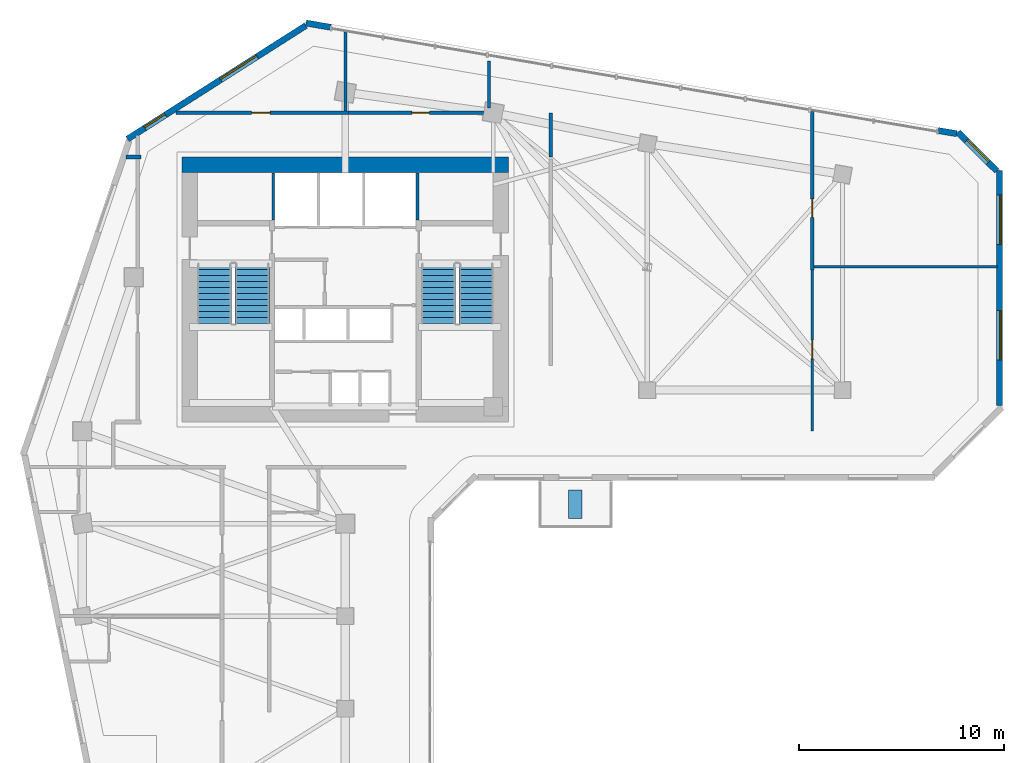
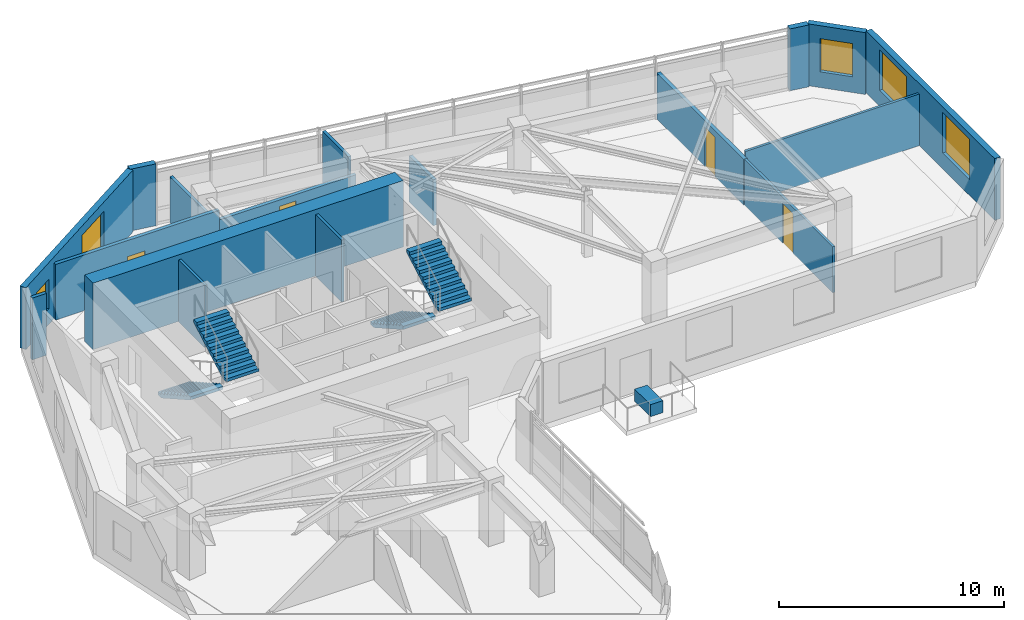
# One storey, part 7 of 10: 17 walls, 5 windows, 4 doors, 4 stair flights, 1 discrete accessory, 9 openings, 2 elements without a shape of their own.
"""IFC4 building model written with IfcOpenShell, lengths in metres."""

from ifc_helpers import new_model, si_unit, direction, frame, frame_2d, origin, origin_2d, place, context, subcontext, project, spatial, polyline, rectangle, outline, extrude, source, transform, mapped, material, layer, layer_set, type_object, element, fill, aggregate, save


model = new_model("IFC4")

# Units and contexts
model_context = context("Model", 3, precision=1e-05, world=origin(), true_north=direction((0.0, 1.0)))
body_context = subcontext(model_context, "Body", "Model", "MODEL_VIEW")
ifc_project = project(units=[si_unit("LENGTHUNIT", "METRE"), si_unit("AREAUNIT", "SQUARE_METRE"), si_unit("VOLUMEUNIT", "CUBIC_METRE"), si_unit("PLANEANGLEUNIT", "RADIAN"), si_unit("MASSUNIT", "GRAM", prefix="KILO")], contexts=[model_context])

# Site, building, storey
site_placement = place(None, origin())
site = spatial("IfcSite", under=ifc_project, at=site_placement, CompositionType="ELEMENT")
building_placement = place(site_placement, origin())
building = spatial("IfcBuilding", under=site, at=building_placement, Name="Calvemar Wedge Station Tower", CompositionType="ELEMENT")
storey_placement = place(building_placement, frame((0.0, 0.0, 139.39990234375)))
storey = spatial("IfcBuildingStorey", under=building, at=storey_placement, Name="L34", CompositionType="ELEMENT", Elevation=139.39990234375)

# Walls
ifc_material_1 = material(Name="Concrete C70", Category="concrete")
ifc_layer_1 = layer(ifc_material_1, 0.75)
ifc_layer_set_1 = layer_set([ifc_layer_1], Name="Concrete C70")
wall_type_1 = type_object("IfcWallType", Name="SW-CORE-750", PredefinedType="SHEAR", material=ifc_layer_set_1)
wall_1_placement = place(storey_placement, frame((15.85009765625, 45.97509765625, 0.0), z_axis=(0.0, 0.0, 1.0), x_axis=(1.0, 0.0, 0.0)))
element("IfcWall", 1, at=wall_1_placement, inside=storey, type_object=wall_type_1, Name="Storey L34 Core Shear Wall N", PredefinedType="SHEAR", context=body_context, shape_type="SweptSolid", body=[
    extrude(rectangle(XDim=15.89990234375, YDim=0.75, at=frame_2d((7.949951171875, 0.0))), origin(), (0.0, 0.0, 1.0), 3.60009765625),
])
ifc_material_2 = material(Name="Double-stud fire-rated corridor partition")
ifc_layer_2 = layer(ifc_material_2, 0.179931640625)
ifc_layer_set_2 = layer_set([ifc_layer_2], Name="Double-stud fire-rated corridor partition")
wall_type_2 = type_object("IfcWallType", Name="W-CORR-180", PredefinedType="PARTITIONING", material=ifc_layer_set_2)
wall_2_placement = place(storey_placement, frame((13.860107421875, 46.35009765625, 0.0), z_axis=(0.0, 0.0, 1.0), x_axis=(-1.0, 0.0, 0.0)))
element("IfcWall", 2, at=wall_2_placement, inside=storey, type_object=wall_type_2, Name="Storey L34 Interior Partition WL-L34-011", PredefinedType="PARTITIONING", context=body_context, shape_type="SweptSolid", body=[
    extrude(rectangle(XDim=0.73486328125, YDim=0.179931640625, at=frame_2d((0.367431640625, 0.0))), origin(), (0.0, 0.0, 1.0), 3.35009765625),
])

# Wall, opening, door
wall_3_placement = place(storey_placement, frame((15.552490234375, 48.5, 0.0), z_axis=(0.0, 0.0, 1.0), x_axis=(1.0, 0.0, 0.0)))
wall_3 = element("IfcWall", 3, at=wall_3_placement, inside=storey, type_object=wall_type_2, Name="Storey L34 Interior Partition WL-L34-012", PredefinedType="PARTITIONING", context=body_context, shape_type="SweptSolid", body=[
    extrude(rectangle(XDim=8.407470703125, YDim=0.179931640625, at=frame_2d((4.20361328125, 0.0))), origin(), (0.0, 0.0, 1.0), 3.01904296875),
])
shared_shape_1 = source(origin(), body_context, "Body", "SweptSolid", [
    extrude(rectangle(XDim=0.89990234375, YDim=2.14990234375, at=frame_2d((0.449951171875, 1.074951171875))), frame((0.0, 0.10009765625, 0.0), z_axis=(0.0, -1.0, 0.0), x_axis=(1.0, 0.0, 0.0)), (0.0, 0.0, 1.0), 0.199951171875),
])
opening_1_placement = place(wall_3_placement, frame((3.69287109375, 0.0, 0.0)))
opening_1 = element("IfcOpeningElement", 4, at=opening_1_placement, cuts=wall_3, Name="Opening D-01", PredefinedType="OPENING", context=body_context, shape_type="MappedRepresentation", body=[
    mapped(shared_shape_1, transform((0.0, 0.0, 0.0), scale=1.0)),
])
ifc_material_3 = material(Name="Architectural hardwood acoustic swing door", Category="wood")
door_type_1 = type_object("IfcDoorType", Name="DR-INT-900", OperationType="NOTDEFINED", PredefinedType="DOOR", material=ifc_material_3)
shared_shape_2 = source(origin(), body_context, "Body", "SweptSolid", [
    extrude(rectangle(XDim=0.89990234375, YDim=2.14990234375, at=frame_2d((0.449951171875, 1.074951171875))), frame((0.0, 0.02490234375, 0.0), z_axis=(0.0, -1.0, 0.0), x_axis=(1.0, 0.0, 0.0)), (0.0, 0.0, 1.0), 0.050048828125),
])
door_1_placement = place(opening_1_placement, origin())
door_1 = element("IfcDoor", 5, at=door_1_placement, inside=storey, type_object=door_type_1, Name="L34 Guest Pantry Door", OperationType="SINGLE_SWING_RIGHT", OverallHeight=2.14990234375, OverallWidth=0.89990234375, PredefinedType="DOOR", context=body_context, shape_type="MappedRepresentation", body=[
    mapped(shared_shape_2, transform((0.0, 0.0, 0.0), scale=1.0)),
])
fill(opening_1, door_1)

wall_4_placement = place(storey_placement, frame((23.9619140625, 48.5, 0.0), z_axis=(0.0, 0.0, 1.0), x_axis=(1.0, 0.0, 0.0)))
wall_4 = element("IfcWall", 6, at=wall_4_placement, inside=storey, type_object=wall_type_2, Name="Storey L34 Interior Partition WL-L34-013", PredefinedType="PARTITIONING", context=body_context, shape_type="SweptSolid", body=[
    extrude(rectangle(XDim=6.998046875, YDim=0.179931640625, at=frame_2d((3.4990234375, 0.0))), origin(), (0.0, 0.0, 1.0), 2.4921875),
])
shared_shape_3 = source(origin(), body_context, "Body", "SweptSolid", [
    extrude(rectangle(XDim=0.85009765625, YDim=2.14990234375, at=frame_2d((0.425048828125, 1.074951171875))), frame((0.0, 0.10009765625, 0.0), z_axis=(0.0, -1.0, 0.0), x_axis=(1.0, 0.0, 0.0)), (0.0, 0.0, 1.0), 0.199951171875),
])
opening_2_placement = place(wall_4_placement, frame((3.073974609375, 0.0, 0.0)))
opening_2 = element("IfcOpeningElement", 7, at=opening_2_placement, cuts=wall_4, Name="Opening D-02", PredefinedType="OPENING", context=body_context, shape_type="MappedRepresentation", body=[
    mapped(shared_shape_3, transform((0.0, 0.0, 0.0), scale=1.0)),
])
ifc_material_4 = material(Name="Moisture-sealed bathroom hardwood swing door", Category="wood")
door_type_2 = type_object("IfcDoorType", Name="DR-WET-850", OperationType="NOTDEFINED", PredefinedType="DOOR", material=ifc_material_4)
shared_shape_4 = source(origin(), body_context, "Body", "SweptSolid", [
    extrude(rectangle(XDim=0.85009765625, YDim=2.14990234375, at=frame_2d((0.425048828125, 1.074951171875))), frame((0.0, 0.02490234375, 0.0), z_axis=(0.0, -1.0, 0.0), x_axis=(1.0, 0.0, 0.0)), (0.0, 0.0, 1.0), 0.050048828125),
])
door_2_placement = place(opening_2_placement, origin())
door_2 = element("IfcDoor", 8, at=door_2_placement, inside=storey, type_object=door_type_2, Name="L34 Accessible WC Door", OperationType="SINGLE_SWING_LEFT", OverallHeight=2.14990234375, OverallWidth=0.85009765625, PredefinedType="DOOR", context=body_context, shape_type="MappedRepresentation", body=[
    mapped(shared_shape_4, transform((0.0, 0.0, 0.0), scale=1.0)),
])
fill(opening_2, door_2)

# Wall
wall_5_placement = place(storey_placement, frame((33.800048828125, 48.5, 0.0), z_axis=(0.0, 0.0, 1.0), x_axis=(0.0, -1.0, 0.0)))
element("IfcWall", 9, at=wall_5_placement, inside=storey, type_object=wall_type_2, Name="Storey L34 Interior Partition WL-L34-014", PredefinedType="PARTITIONING", context=body_context, shape_type="SweptSolid", body=[
    extrude(rectangle(XDim=2.14990234375, YDim=0.179931640625, at=frame_2d((1.074951171875, 0.0))), origin(), (0.0, 0.0, 1.0), 2.4921875),
])

# Wall, opening, door
wall_6_placement = place(storey_placement, frame((46.534912109375, 48.55859375, 0.0), z_axis=(0.0, 0.0, 1.0), x_axis=(0.0, -1.0, 0.0)))
wall_6 = element("IfcWall", 10, at=wall_6_placement, inside=storey, type_object=wall_type_2, Name="Storey L34 Interior Partition WL-L34-019", PredefinedType="PARTITIONING", context=body_context, shape_type="SweptSolid", body=[
    extrude(rectangle(XDim=7.718505859375, YDim=0.179931640625, at=frame_2d((3.859375, 0.0))), origin(), (0.0, 0.0, 1.0), 2.4921875),
])
opening_3_placement = place(wall_6_placement, frame((4.251953125, 0.0, 0.0)))
opening_3 = element("IfcOpeningElement", 11, at=opening_3_placement, cuts=wall_6, Name="Opening FD-60", PredefinedType="OPENING", context=body_context, shape_type="MappedRepresentation", body=[
    mapped(shared_shape_1, transform((0.0, 0.0, 0.0), scale=1.0)),
])
ifc_material_5 = material(Name="Fire-rated acoustic timber-core entrance door EI 60", Category="wood")
door_type_3 = type_object("IfcDoorType", Name="DR-FD60-900", OperationType="NOTDEFINED", PredefinedType="DOOR", material=ifc_material_5)
shared_shape_5 = source(origin(), body_context, "Body", "SweptSolid", [
    extrude(rectangle(XDim=0.89990234375, YDim=2.14990234375, at=frame_2d((0.449951171875, 1.074951171875))), frame((0.0, 0.02490234375, 0.0), z_axis=(0.0, -1.0, 0.0), x_axis=(1.0, 0.0, 0.0)), (0.0, 0.0, 1.0), 0.050048828125),
])
door_3_placement = place(opening_3_placement, origin())
door_3 = element("IfcDoor", 12, at=door_3_placement, inside=storey, type_object=door_type_3, Name="L34 Banquet Service Kitchen Door", OperationType="SINGLE_SWING_LEFT", OverallHeight=2.14990234375, OverallWidth=0.89990234375, PredefinedType="DOOR", context=body_context, shape_type="MappedRepresentation", body=[
    mapped(shared_shape_5, transform((0.0, 0.0, 0.0), scale=1.0)),
])
fill(opening_3, door_3)

# Wall, openings, windows
ifc_material_6 = material(Name="Precast concrete C45", Category="concrete")
ifc_layer_3 = layer(ifc_material_6, 0.300048828125)
ifc_layer_set_3 = layer_set([ifc_layer_3], Name="Precast concrete C45")
wall_type_3 = type_object("IfcWallType", Name="W-EXT-GFRC-300", PredefinedType="SOLIDWALL", material=ifc_layer_set_3)
wall_7_placement = place(storey_placement, frame((55.64990234375, 34.249267578125, 0.0), z_axis=(0.0, 0.0, 1.0), x_axis=(0.0, 1.0, 0.0)))
wall_7 = element("IfcWall", 13, at=wall_7_placement, inside=storey, type_object=wall_type_3, Name="Storey L34 Bronze GFRC Exterior Wall 8", PredefinedType="SOLIDWALL", context=body_context, shape_type="SweptSolid", body=[
    extrude(rectangle(XDim=11.4306640625, YDim=0.300048828125, at=frame_2d((5.71533203125, 0.0))), origin(), (0.0, 0.0, 1.0), 3.35009765625),
])
shared_shape_6 = source(origin(), body_context, "Body", "SweptSolid", [
    extrude(rectangle(XDim=2.39990234375, YDim=2.199951171875, at=frame_2d((1.199951171875, 1.10009765625))), frame((0.0, 0.16015625, 0.0), z_axis=(0.0, -1.0, 0.0), x_axis=(1.0, 0.0, 0.0)), (0.0, 0.0, 1.0), 0.320068359375),
])
opening_4_placement = place(wall_7_placement, frame((2.22509765625, 0.0, 0.85009765625)))
opening_4 = element("IfcOpeningElement", 14, at=opening_4_placement, cuts=wall_7, Name="Opening W1", PredefinedType="OPENING", context=body_context, shape_type="MappedRepresentation", body=[
    mapped(shared_shape_6, transform((0.0, 0.0, 0.0), scale=1.0)),
])
opening_5_placement = place(wall_7_placement, frame((7.841064453125, 0.0, 0.85009765625)))
opening_5 = element("IfcOpeningElement", 15, at=opening_5_placement, cuts=wall_7, Name="Opening W1", PredefinedType="OPENING", context=body_context, shape_type="MappedRepresentation", body=[
    mapped(shared_shape_6, transform((0.0, 0.0, 0.0), scale=1.0)),
])
ifc_material_7 = material(Name="Low-E laminated insulated glass", Category="glass")
window_type_1 = type_object("IfcWindowType", Name="WIN-EXT-1", PartitioningType="SINGLE_PANEL", PredefinedType="WINDOW", material=ifc_material_7)
shared_shape_7 = source(origin(), body_context, "Body", "SweptSolid", [
    extrude(rectangle(XDim=2.39990234375, YDim=2.199951171875, at=frame_2d((1.199951171875, 1.10009765625))), frame((0.0, -0.014892578125, 0.0), z_axis=(0.0, -1.0, 0.0), x_axis=(1.0, 0.0, 0.0)), (0.0, 0.0, 1.0), 0.06005859375),
])
window_1_placement = place(opening_4_placement, origin())
window_1 = element("IfcWindow", 16, at=window_1_placement, inside=storey, type_object=window_type_1, Name="Storey L34 Recessed Window 8.1", OverallHeight=2.199951171875, OverallWidth=2.39990234375, PartitioningType="SINGLE_PANEL", PredefinedType="WINDOW", context=body_context, shape_type="MappedRepresentation", body=[
    mapped(shared_shape_7, transform((0.0, 0.0, 0.0), scale=1.0)),
])
fill(opening_4, window_1)
window_2_placement = place(opening_5_placement, origin())
window_2 = element("IfcWindow", 17, at=window_2_placement, inside=storey, type_object=window_type_1, Name="Storey L34 Recessed Window 8.2", OverallHeight=2.199951171875, OverallWidth=2.39990234375, PartitioningType="SINGLE_PANEL", PredefinedType="WINDOW", context=body_context, shape_type="MappedRepresentation", body=[
    mapped(shared_shape_7, transform((0.0, 0.0, 0.0), scale=1.0)),
])
fill(opening_5, window_2)

# Wall, opening, window
wall_8_placement = place(storey_placement, frame((55.511962890625, 45.66796875, 0.0), z_axis=(0.0, 0.0, 1.0), x_axis=(-0.707152443695, 0.707061115729, 0.0)))
wall_8 = element("IfcWall", 18, at=wall_8_placement, inside=storey, type_object=wall_type_3, Name="Storey L34 Bronze GFRC Exterior Wall 9", PredefinedType="SOLIDWALL", context=body_context, shape_type="SweptSolid", body=[
    extrude(rectangle(XDim=2.67333984375, YDim=0.300048828125, at=frame_2d((1.336669921875, 0.0))), origin(), (0.0, 0.0, 1.0), 3.35009765625),
])
shared_shape_8 = source(origin(), body_context, "Body", "SweptSolid", [
    extrude(rectangle(XDim=1.5, YDim=1.800048828125, at=frame_2d((0.75, 0.89990234375))), frame((0.0, 0.16015625, 0.0), z_axis=(0.0, -1.0, 0.0), x_axis=(1.0, 0.0, 0.0)), (0.0, 0.0, 1.0), 0.320068359375),
])
opening_6_placement = place(wall_8_placement, frame((0.5869140625, 0.0, 0.85009765625)))
opening_6 = element("IfcOpeningElement", 19, at=opening_6_placement, cuts=wall_8, Name="Opening W3", PredefinedType="OPENING", context=body_context, shape_type="MappedRepresentation", body=[
    mapped(shared_shape_8, transform((0.0, 0.0, 0.0), scale=1.0)),
])
window_type_2 = type_object("IfcWindowType", Name="WIN-EXT-3", PartitioningType="SINGLE_PANEL", PredefinedType="WINDOW", material=ifc_material_7)
shared_shape_9 = source(origin(), body_context, "Body", "SweptSolid", [
    extrude(rectangle(XDim=1.5, YDim=1.800048828125, at=frame_2d((0.75, 0.89990234375))), frame((0.0, -0.014892578125, 0.0), z_axis=(0.0, -1.0, 0.0), x_axis=(1.0, 0.0, 0.0)), (0.0, 0.0, 1.0), 0.06005859375),
])
window_3_placement = place(opening_6_placement, origin())
window_3 = element("IfcWindow", 20, at=window_3_placement, inside=storey, type_object=window_type_2, Name="Storey L34 Recessed Window 9.1", OverallHeight=1.800048828125, OverallWidth=1.5, PartitioningType="SINGLE_PANEL", PredefinedType="WINDOW", context=body_context, shape_type="MappedRepresentation", body=[
    mapped(shared_shape_9, transform((0.0, 0.0, 0.0), scale=1.0)),
])
fill(opening_6, window_3)

# Walls
wall_9_placement = place(storey_placement, frame((53.56103515625, 47.48046875, 0.0), z_axis=(0.0, 0.0, 1.0), x_axis=(-0.985836300899, 0.167710428506, 0.0)))
element("IfcWall", 21, at=wall_9_placement, inside=storey, type_object=wall_type_3, Name="Storey L34 Bronze GFRC Corner Pier 10A", PredefinedType="SOLIDWALL", context=body_context, shape_type="SweptSolid", body=[
    extrude(rectangle(XDim=0.908447265625, YDim=0.300048828125, at=frame_2d((0.4541015625, 0.0))), origin(), (0.0, 0.0, 1.0), 3.35009765625),
])
wall_10_placement = place(storey_placement, frame((23.093994140625, 52.661865234375, 0.0), z_axis=(0.0, 0.0, 1.0), x_axis=(-0.985845658291, 0.167655414553, 0.0)))
element("IfcWall", 22, at=wall_10_placement, inside=storey, type_object=wall_type_3, Name="Storey L34 Bronze GFRC Corner Pier 10B", PredefinedType="SOLIDWALL", context=body_context, shape_type="SweptSolid", body=[
    extrude(rectangle(XDim=1.2275390625, YDim=0.300048828125, at=frame_2d((0.61376953125, 0.0))), origin(), (0.0, 0.0, 1.0), 3.35009765625),
])

# Wall, openings, windows
wall_11_placement = place(storey_placement, frame((21.874755859375, 52.742431640625, 0.0), z_axis=(0.0, 0.0, 1.0), x_axis=(-0.843662465249, -0.536873956092, 0.0)))
wall_11 = element("IfcWall", 23, at=wall_11_placement, inside=storey, type_object=wall_type_3, Name="Storey L34 Bronze GFRC Exterior Wall 11", PredefinedType="SOLIDWALL", context=body_context, shape_type="SweptSolid", body=[
    extrude(rectangle(XDim=10.283935546875, YDim=0.300048828125, at=frame_2d((5.14208984375, 0.0))), origin(), (0.0, 0.0, 1.0), 3.35009765625),
])
shared_shape_10 = source(origin(), body_context, "Body", "SweptSolid", [
    extrude(rectangle(XDim=2.10009765625, YDim=2.0, at=frame_2d((1.050048828125, 1.0))), frame((0.0, 0.16015625, 0.0), z_axis=(0.0, -1.0, 0.0), x_axis=(1.0, 0.0, 0.0)), (0.0, 0.0, 1.0), 0.320068359375),
])
opening_7_placement = place(wall_11_placement, frame((2.805908203125, 0.0, 0.85009765625)))
opening_7 = element("IfcOpeningElement", 24, at=opening_7_placement, cuts=wall_11, Name="Opening W4", PredefinedType="OPENING", context=body_context, shape_type="MappedRepresentation", body=[
    mapped(shared_shape_10, transform((0.0, 0.0, 0.0), scale=1.0)),
])
shared_shape_11 = source(origin(), body_context, "Body", "SweptSolid", [
    extrude(rectangle(XDim=1.199951171875, YDim=1.60009765625, at=frame_2d((0.60009765625, 0.800048828125))), frame((0.0, 0.16015625, 0.0), z_axis=(0.0, -1.0, 0.0), x_axis=(1.0, 0.0, 0.0)), (0.0, 0.0, 1.0), 0.320068359375),
])
opening_8_placement = place(wall_11_placement, frame((8.0869140625, 0.0, 0.85009765625)))
opening_8 = element("IfcOpeningElement", 25, at=opening_8_placement, cuts=wall_11, Name="Opening W5", PredefinedType="OPENING", context=body_context, shape_type="MappedRepresentation", body=[
    mapped(shared_shape_11, transform((0.0, 0.0, 0.0), scale=1.0)),
])
window_type_3 = type_object("IfcWindowType", Name="WIN-EXT-4", PartitioningType="SINGLE_PANEL", PredefinedType="WINDOW", material=ifc_material_7)
shared_shape_12 = source(origin(), body_context, "Body", "SweptSolid", [
    extrude(rectangle(XDim=2.10009765625, YDim=2.0, at=frame_2d((1.050048828125, 1.0))), frame((0.0, -0.014892578125, 0.0), z_axis=(0.0, -1.0, 0.0), x_axis=(1.0, 0.0, 0.0)), (0.0, 0.0, 1.0), 0.06005859375),
])
window_4_placement = place(opening_7_placement, origin())
window_4 = element("IfcWindow", 26, at=window_4_placement, inside=storey, type_object=window_type_3, Name="Storey L34 Recessed Window 11.1", OverallHeight=2.0, OverallWidth=2.10009765625, PartitioningType="SINGLE_PANEL", PredefinedType="WINDOW", context=body_context, shape_type="MappedRepresentation", body=[
    mapped(shared_shape_12, transform((0.0, 0.0, 0.0), scale=1.0)),
])
fill(opening_7, window_4)
window_type_4 = type_object("IfcWindowType", Name="WIN-EXT-5", PartitioningType="SINGLE_PANEL", PredefinedType="WINDOW", material=ifc_material_7)
shared_shape_13 = source(origin(), body_context, "Body", "SweptSolid", [
    extrude(rectangle(XDim=1.199951171875, YDim=1.60009765625, at=frame_2d((0.60009765625, 0.800048828125))), frame((0.0, -0.014892578125, 0.0), z_axis=(0.0, -1.0, 0.0), x_axis=(1.0, 0.0, 0.0)), (0.0, 0.0, 1.0), 0.06005859375),
])
window_5_placement = place(opening_8_placement, origin())
window_5 = element("IfcWindow", 27, at=window_5_placement, inside=storey, type_object=window_type_4, Name="Storey L34 Recessed Window 11.2", OverallHeight=1.60009765625, OverallWidth=1.199951171875, PartitioningType="SINGLE_PANEL", PredefinedType="WINDOW", context=body_context, shape_type="MappedRepresentation", body=[
    mapped(shared_shape_13, transform((0.0, 0.0, 0.0), scale=1.0)),
])
fill(opening_8, window_5)

# Walls
ifc_material_8 = material(Name="Reinforced concrete blockwork lift shaft wall", Category="masonry")
ifc_layer_4 = layer(ifc_material_8, 0.139892578125)
ifc_layer_set_4 = layer_set([ifc_layer_4], Name="Reinforced concrete blockwork lift shaft wall")
wall_type_4 = type_object("IfcWallType", Name="W-LIFT-160", PredefinedType="SOLIDWALL", material=ifc_layer_set_4)
for number, where, z_axis, x_axis, name in (
    (28, (20.2900390625, 43.280029296875, 0.0), (0.0, 0.0, 1.0), (0.0, 1.0, 0.0), "Storey L34 Firefighting Lift Shaft Enclosure Wall W"),
    (29, (27.31005859375, 43.280029296875, 0.0), (0.0, 0.0, 1.0), (0.0, 1.0, 0.0), "Storey L34 Firefighting Lift Shaft Enclosure Wall E"),
):
    element("IfcWall", number, at=place(storey_placement, frame(where, z_axis=z_axis, x_axis=x_axis)), inside=storey, type_object=wall_type_4, Name=name, PredefinedType="SOLIDWALL", context=body_context, shape_type="SweptSolid", body=[
        extrude(rectangle(XDim=2.300048828125, YDim=0.139892578125, at=frame_2d((1.14990234375, 0.0))), origin(), (0.0, 0.0, 1.0), 3.35009765625),
    ])

# Wall, opening, door
ifc_material_9 = material(Name="Insulated acoustic gypsum stud partition")
ifc_layer_5 = layer(ifc_material_9, 0.125)
ifc_layer_set_5 = layer_set([ifc_layer_5], Name="Insulated acoustic gypsum stud partition")
wall_type_5 = type_object("IfcWallType", Name="W-PART-125", PredefinedType="PARTITIONING", material=ifc_layer_set_5)
wall_12_placement = place(storey_placement, frame((46.534912109375, 40.837890625, 0.0), z_axis=(0.0, 0.0, 1.0), x_axis=(0.0, -1.0, 0.0)))
wall_12 = element("IfcWall", 30, at=wall_12_placement, inside=storey, type_object=wall_type_5, Name="Storey L34 Interior Partition WL-L34-020", PredefinedType="PARTITIONING", context=body_context, shape_type="SweptSolid", body=[
    extrude(rectangle(XDim=7.837890625, YDim=0.125, at=frame_2d((3.9189453125, 0.0))), origin(), (0.0, 0.0, 1.0), 2.4921875),
])
shared_shape_14 = source(origin(), body_context, "Body", "SweptSolid", [
    extrude(rectangle(XDim=0.89990234375, YDim=2.14990234375, at=frame_2d((0.449951171875, 1.074951171875))), frame((0.0, 0.072509765625, 0.0), z_axis=(0.0, -1.0, 0.0), x_axis=(1.0, 0.0, 0.0)), (0.0, 0.0, 1.0), 0.14501953125),
])
opening_9_placement = place(wall_12_placement, frame((3.40869140625, 0.0, 0.0)))
opening_9 = element("IfcOpeningElement", 31, at=opening_9_placement, cuts=wall_12, Name="Opening D-01", PredefinedType="OPENING", context=body_context, shape_type="MappedRepresentation", body=[
    mapped(shared_shape_14, transform((0.0, 0.0, 0.0), scale=1.0)),
])
door_4_placement = place(opening_9_placement, origin())
door_4 = element("IfcDoor", 32, at=door_4_placement, inside=storey, type_object=door_type_1, Name="L34 VIP Boardroom Door", OperationType="SINGLE_SWING_RIGHT", OverallHeight=2.14990234375, OverallWidth=0.89990234375, PredefinedType="DOOR", context=body_context, shape_type="MappedRepresentation", body=[
    mapped(shared_shape_2, transform((0.0, 0.0, 0.0), scale=1.0)),
])
fill(opening_9, door_4)

# Walls
wall_13_placement = place(storey_placement, frame((55.534912109375, 41.0, 0.0), z_axis=(0.0, 0.0, 1.0), x_axis=(-1.0, 0.0, 0.0)))
element("IfcWall", 33, at=wall_13_placement, inside=storey, type_object=wall_type_5, Name="Storey L34 Interior Partition WL-L34-021", PredefinedType="PARTITIONING", context=body_context, shape_type="SweptSolid", body=[
    extrude(rectangle(XDim=8.933349609375, YDim=0.125, at=frame_2d((4.466796875, 0.0))), origin(), (0.0, 0.0, 1.0), 2.802978515625),
])
ifc_material_10 = material(Name="Moisture-resistant acoustic bathroom partition")
ifc_layer_6 = layer(ifc_material_10, 0.14990234375)
ifc_layer_set_6 = layer_set([ifc_layer_6], Name="Moisture-resistant acoustic bathroom partition")
wall_type_6 = type_object("IfcWallType", Name="W-WET-150", PredefinedType="PARTITIONING", material=ifc_layer_set_6)
wall_14_placement = place(storey_placement, frame((23.800048828125, 52.425048828125, 0.0), z_axis=(0.0, 0.0, 1.0), x_axis=(0.0, -1.0, 0.0)))
element("IfcWall", 34, at=wall_14_placement, inside=storey, type_object=wall_type_6, Name="Storey L34 Interior Partition WL-L34-018", PredefinedType="PARTITIONING", context=body_context, shape_type="SweptSolid", body=[
    extrude(rectangle(XDim=3.8310546875, YDim=0.14990234375, at=frame_2d((1.91552734375, 0.0))), origin(), (0.0, 0.0, 1.0), 2.4921875),
])
wall_15_placement = place(storey_placement, frame((30.800048828125, 51.011474609375, 0.0), z_axis=(0.0, 0.0, 1.0), x_axis=(0.0, -1.0, 0.0)))
element("IfcWall", 35, at=wall_15_placement, inside=storey, type_object=wall_type_6, Name="Storey L34 Bathroom Enclosure Wall WL-L34-036", PredefinedType="PARTITIONING", context=body_context, shape_type="SweptSolid", body=[
    extrude(rectangle(XDim=2.29150390625, YDim=0.14990234375, at=frame_2d((1.145751953125, 0.0))), origin(), (0.0, 0.0, 1.0), 3.35009765625),
])

# Stair, stair flights
ifc_material_11 = material(Name="Concrete C45", Category="concrete")
stair_type = type_object("IfcStairType", Name="ST-TYPE-3600", PredefinedType="HALF_TURN_STAIR", material=ifc_material_11)
stair_1_placement = place(storey_placement, origin())
stair_1 = element("IfcStair", 36, at=stair_1_placement, inside=storey, type_object=stair_type, Name="L34 Pressurized Core Exit Stair ST-C1", PredefinedType="HALF_TURN_STAIR")
stair_flight_type = type_object("IfcStairFlightType", Name="STF-TYPE-3600", PredefinedType="STRAIGHT", material=ifc_material_11)
stair_flight_1_placement = place(storey_placement, frame((17.429931640625, 41.14990234375, 0.0), z_axis=(0.0, 0.0, 1.0), x_axis=(0.0, -1.0, 0.0)))
stair_flight_1 = element("IfcStairFlight", 37, at=stair_flight_1_placement, type_object=stair_flight_type, Name="ST-C1 flight 1", NumberOfRisers=11, NumberOfTreads=10, PredefinedType="STRAIGHT", RiserHeight=0.163636364, TreadLength=0.29, context=body_context, shape_type="SweptSolid", body=[
    extrude(outline(polyline([(0.0, 0.0), (0.0, 0.16357421875), (0.2900390625, 0.16357421875), (0.2900390625, 0.327392578125), (0.580078125, 0.327392578125), (0.580078125, 0.490966796875), (0.8701171875, 0.490966796875), (0.8701171875, 0.654541015625), (1.159912109375, 0.654541015625), (1.159912109375, 0.818115234375), (1.449951171875, 0.818115234375), (1.449951171875, 0.98193359375), (1.739990234375, 0.98193359375), (1.739990234375, 1.1455078125), (2.030029296875, 1.1455078125), (2.030029296875, 1.30908203125), (2.320068359375, 1.30908203125), (2.320068359375, 1.47265625), (2.610107421875, 1.47265625), (2.610107421875, 1.636474609375), (2.89990234375, 1.636474609375), (2.89990234375, 1.800048828125), (2.89990234375, 1.46435546875), (0.304931640625, 0.0), (0.0, 0.0)])), frame((0.0, 0.830078125, 0.0), z_axis=(0.0, -1.0, 0.0), x_axis=(1.0, 0.0, 0.0)), (0.0, 0.0, 1.0), 1.659912109375),
])
stair_flight_2_placement = place(storey_placement, frame((19.27001953125, 38.25, 1.800048828125), z_axis=(0.0, 0.0, 1.0), x_axis=(0.0, 1.0, 0.0)))
stair_flight_2 = element("IfcStairFlight", 38, at=stair_flight_2_placement, type_object=stair_flight_type, Name="ST-C1 flight 2", NumberOfRisers=11, NumberOfTreads=10, PredefinedType="STRAIGHT", RiserHeight=0.163636364, TreadLength=0.29, context=body_context, shape_type="SweptSolid", body=[
    extrude(outline(polyline([(0.0, 0.0), (0.0, 0.16357421875), (0.2900390625, 0.16357421875), (0.2900390625, 0.327392578125), (0.580078125, 0.327392578125), (0.580078125, 0.490966796875), (0.8701171875, 0.490966796875), (0.8701171875, 0.654541015625), (1.159912109375, 0.654541015625), (1.159912109375, 0.818115234375), (1.449951171875, 0.818115234375), (1.449951171875, 0.98193359375), (1.739990234375, 0.98193359375), (1.739990234375, 1.1455078125), (2.030029296875, 1.1455078125), (2.030029296875, 1.30908203125), (2.320068359375, 1.30908203125), (2.320068359375, 1.47265625), (2.610107421875, 1.47265625), (2.610107421875, 1.636474609375), (2.89990234375, 1.636474609375), (2.89990234375, 1.800048828125), (2.89990234375, 1.46435546875), (0.304931640625, 0.0), (0.0, 0.0)])), frame((0.0, 0.830078125, 0.0), z_axis=(0.0, -1.0, 0.0), x_axis=(1.0, 0.0, 0.0)), (0.0, 0.0, 1.0), 1.659912109375),
])
aggregate(stair_1, [stair_flight_1, stair_flight_2])

stair_2_placement = place(storey_placement, origin())
stair_2 = element("IfcStair", 39, at=stair_2_placement, inside=storey, type_object=stair_type, Name="L34 Pressurized Core Exit Stair ST-C2", PredefinedType="HALF_TURN_STAIR")
stair_flight_3_placement = place(storey_placement, frame((28.330078125, 41.14990234375, 0.0), z_axis=(0.0, 0.0, 1.0), x_axis=(0.0, -1.0, 0.0)))
stair_flight_3 = element("IfcStairFlight", 40, at=stair_flight_3_placement, type_object=stair_flight_type, Name="ST-C2 flight 1", NumberOfRisers=11, NumberOfTreads=10, PredefinedType="STRAIGHT", RiserHeight=0.163636364, TreadLength=0.29, context=body_context, shape_type="SweptSolid", body=[
    extrude(outline(polyline([(0.0, 0.0), (0.0, 0.16357421875), (0.2900390625, 0.16357421875), (0.2900390625, 0.327392578125), (0.580078125, 0.327392578125), (0.580078125, 0.490966796875), (0.8701171875, 0.490966796875), (0.8701171875, 0.654541015625), (1.159912109375, 0.654541015625), (1.159912109375, 0.818115234375), (1.449951171875, 0.818115234375), (1.449951171875, 0.98193359375), (1.739990234375, 0.98193359375), (1.739990234375, 1.1455078125), (2.030029296875, 1.1455078125), (2.030029296875, 1.30908203125), (2.320068359375, 1.30908203125), (2.320068359375, 1.47265625), (2.610107421875, 1.47265625), (2.610107421875, 1.636474609375), (2.89990234375, 1.636474609375), (2.89990234375, 1.800048828125), (2.89990234375, 1.46435546875), (0.304931640625, 0.0), (0.0, 0.0)])), frame((0.0, 0.830078125, 0.0), z_axis=(0.0, -1.0, 0.0), x_axis=(1.0, 0.0, 0.0)), (0.0, 0.0, 1.0), 1.659912109375),
])
stair_flight_4_placement = place(storey_placement, frame((30.169921875, 38.25, 1.800048828125), z_axis=(0.0, 0.0, 1.0), x_axis=(0.0, 1.0, 0.0)))
stair_flight_4 = element("IfcStairFlight", 41, at=stair_flight_4_placement, type_object=stair_flight_type, Name="ST-C2 flight 2", NumberOfRisers=11, NumberOfTreads=10, PredefinedType="STRAIGHT", RiserHeight=0.163636364, TreadLength=0.29, context=body_context, shape_type="SweptSolid", body=[
    extrude(outline(polyline([(0.0, 0.0), (0.0, 0.16357421875), (0.2900390625, 0.16357421875), (0.2900390625, 0.327392578125), (0.580078125, 0.327392578125), (0.580078125, 0.490966796875), (0.8701171875, 0.490966796875), (0.8701171875, 0.654541015625), (1.159912109375, 0.654541015625), (1.159912109375, 0.818115234375), (1.449951171875, 0.818115234375), (1.449951171875, 0.98193359375), (1.739990234375, 0.98193359375), (1.739990234375, 1.1455078125), (2.030029296875, 1.1455078125), (2.030029296875, 1.30908203125), (2.320068359375, 1.30908203125), (2.320068359375, 1.47265625), (2.610107421875, 1.47265625), (2.610107421875, 1.636474609375), (2.89990234375, 1.636474609375), (2.89990234375, 1.800048828125), (2.89990234375, 1.46435546875), (0.304931640625, 0.0), (0.0, 0.0)])), frame((0.0, 0.830078125, 0.0), z_axis=(0.0, -1.0, 0.0), x_axis=(1.0, 0.0, 0.0)), (0.0, 0.0, 1.0), 1.659912109375),
])
aggregate(stair_2, [stair_flight_3, stair_flight_4])

# Discrete accessory
discrete_accessory_type = type_object("IfcDiscreteAccessoryType", Name="ACC-PLANTER", PredefinedType="USERDEFINED", material=ifc_material_6)
shared_shape_15 = source(origin(), body_context, "Body", "SweptSolid", [
    extrude(rectangle(XDim=0.64990234375, YDim=1.39990234375, at=origin_2d()), origin(), (0.0, 0.0, 1.0), 0.64990234375),
])
discrete_accessory_placement = place(storey_placement, frame((35.0, 29.44189453125, 0.000244140625), z_axis=(0.0, 0.0, 1.0), x_axis=(1.0, 0.0, 0.0)))
element("IfcDiscreteAccessory", 42, at=discrete_accessory_placement, inside=storey, type_object=discrete_accessory_type, Name="Storey L34 Planted Terrace GFRC Planter", ObjectType="PLANTER", PredefinedType="USERDEFINED", context=body_context, shape_type="MappedRepresentation", body=[
    mapped(shared_shape_15, transform((0.0, 0.0, 0.0), scale=1.0)),
])

save(model, "model.ifc")
